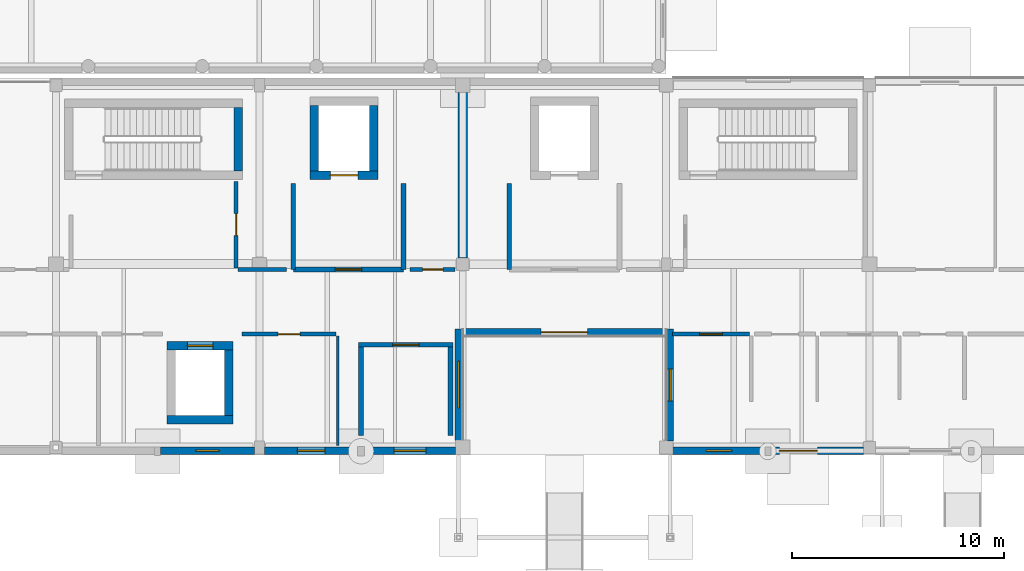
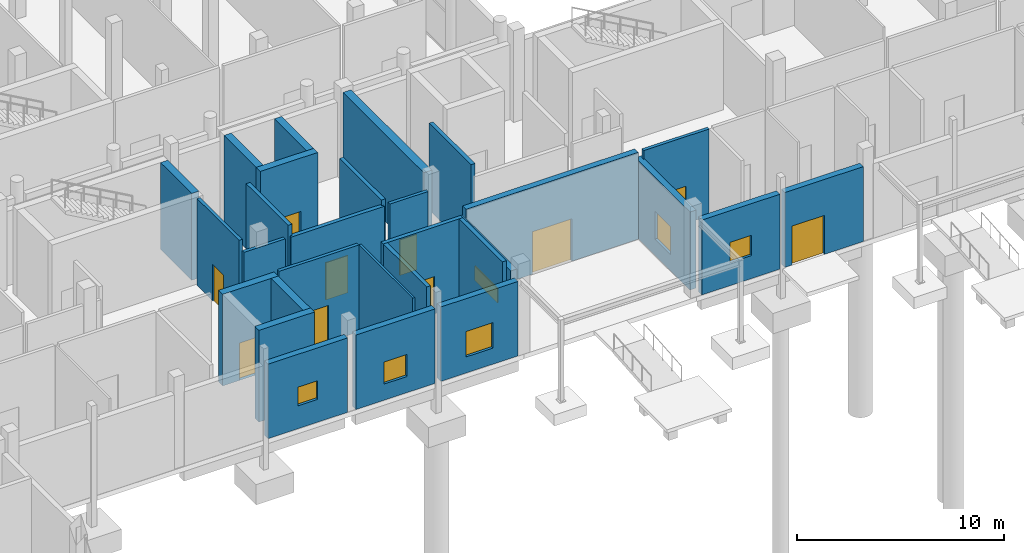
# One storey, part 59 of 88: 29 walls, 10 doors, 6 windows, 16 openings.
"""IFC4 building model written with IfcOpenShell, lengths in metres."""

import ifcopenshell
import ifcopenshell.guid

model = None  # the IFC model being written
_history = None  # IfcOwnerHistory: only IFC2X3 demands one
_inside = {}  # id of a spatial element -> (the spatial element, [elements in it])
_under = {}  # id of a project, library or spatial element -> (it, [spatial elements below it])
_declared = {}  # id of a project -> (the project, [libraries it declares])
_typed = {}  # id of a type object -> (the type object, [elements of that type])
_made_of = {}  # id of a material, layer set ... -> (it, [elements and type objects made of it])


def new_model(schema):
    """Start an empty IFC model of exactly this schema.

    Asked for "IFC4X3", IfcOpenShell would pick the latest addendum, in which some entities
    have other attributes; the version numbers below select the first issue.
    IFC2X3 requires an IfcOwnerHistory on every rooted entity: one is made here for all.
    """
    global model, _history
    if schema == "IFC4X3":
        model = ifcopenshell.file(schema_version=(4, 3, 0, 0))
    else:
        model = ifcopenshell.file(schema=schema)
    _inside.clear()
    _under.clear()
    _declared.clear()
    _typed.clear()
    _made_of.clear()
    _history = None
    if model.schema == "IFC2X3":
        org = make("IfcOrganization", Name="unknown")
        user = make(
            "IfcPersonAndOrganization",
            ThePerson=make("IfcPerson", FamilyName="unknown"),
            TheOrganization=org,
        )
        app = make(
            "IfcApplication",
            ApplicationDeveloper=org,
            Version="unknown",
            ApplicationFullName="unknown",
            ApplicationIdentifier="unknown",
        )
        _history = make(
            "IfcOwnerHistory",
            OwningUser=user,
            OwningApplication=app,
            ChangeAction="ADDED",
            CreationDate=0,
        )
    return model


def make(cls, **values):
    """One entity of the class cls with the attributes given. An attribute that is None is left unset."""
    return model.create_entity(
        cls, **{name: value for name, value in values.items() if value is not None}
    )


def rooted(cls, **values):
    """An entity with a GlobalId (a new one), such as an element, a storey or a relation."""
    return make(cls, GlobalId=ifcopenshell.guid.new(), OwnerHistory=_history, **values)


def si_unit(unit_type, name, prefix=None):
    """IfcSIUnit, for example si_unit("LENGTHUNIT", "METRE", prefix="MILLI")."""
    return make("IfcSIUnit", UnitType=unit_type, Prefix=prefix, Name=name)


def assignment(units):
    """IfcUnitAssignment: the units of a project."""
    return None if units is None else make("IfcUnitAssignment", Units=units)


def point(xyz):
    """IfcCartesianPoint."""
    return None if xyz is None else make("IfcCartesianPoint", Coordinates=xyz)


def direction(xyz):
    """IfcDirection."""
    return None if xyz is None else make("IfcDirection", DirectionRatios=xyz)


def frame(location, z_axis=None, x_axis=None):
    """IfcAxis2Placement3D, a coordinate frame: its origin and axes. An axis left out is left unset."""
    return make(
        "IfcAxis2Placement3D",
        Location=point(location),
        Axis=direction(z_axis),
        RefDirection=direction(x_axis),
    )


def frame_2d(location, x_axis=None):
    """IfcAxis2Placement2D, a coordinate frame in the plane: its origin and x axis."""
    return make(
        "IfcAxis2Placement2D", Location=point(location), RefDirection=direction(x_axis)
    )


def origin():
    """The frame at (0, 0, 0) with its axes left unset."""
    return frame((0.0, 0.0, 0.0))


def place(relative_to, where):
    """IfcLocalPlacement: puts the frame where relative to a parent placement (None: the world)."""
    return make(
        "IfcLocalPlacement", PlacementRelTo=relative_to, RelativePlacement=where
    )


def context(
    kind, dimensions, precision=None, world=None, true_north=None, identifier=None
):
    """IfcGeometricRepresentationContext, for example the 3D "Model" context."""
    return make(
        "IfcGeometricRepresentationContext",
        ContextIdentifier=identifier,
        ContextType=kind,
        CoordinateSpaceDimension=dimensions,
        Precision=precision,
        WorldCoordinateSystem=world,
        TrueNorth=true_north,
    )


def subcontext(parent, identifier, kind, view, scale=None):
    """IfcGeometricRepresentationSubContext, for example "Body" below "Model"."""
    return make(
        "IfcGeometricRepresentationSubContext",
        ContextIdentifier=identifier,
        ContextType=kind,
        ParentContext=parent,
        TargetScale=scale,
        TargetView=view,
    )


def project(units=None, contexts=None):
    """IfcProject with its units and contexts."""
    return rooted(
        "IfcProject",
        Name="project",
        RepresentationContexts=contexts,
        UnitsInContext=assignment(units),
    )


def spatial(cls, under=None, at=None, **own):
    """A site, building, storey or space (cls), placed at a placement, below another one or the project."""
    s = rooted(cls, ObjectPlacement=at, **own)
    if under is not None:
        _under.setdefault(under.id(), (under, []))[1].append(s)
    return s


def profile(cls, at=None, kind="AREA", **sizes):
    """A parametric profile (cls). Its sizes go by their IFC names, for example OverallWidth=200.0."""
    return make(cls, ProfileType=kind, Position=at, **sizes)


def rectangle(**sizes):
    """IfcRectangleProfileDef."""
    return profile("IfcRectangleProfileDef", **sizes)


def extrude(swept, where, along, depth):
    """IfcExtrudedAreaSolid: the profile swept, set in the frame where, extruded along a direction by depth."""
    return make(
        "IfcExtrudedAreaSolid",
        SweptArea=swept,
        Position=where,
        ExtrudedDirection=direction(along),
        Depth=depth,
    )


def shape(context_of_items, identifier, shape_type, items):
    """IfcShapeRepresentation: the items that make up one representation, for example the "Body"."""
    return make(
        "IfcShapeRepresentation",
        ContextOfItems=context_of_items,
        RepresentationIdentifier=identifier,
        RepresentationType=shape_type,
        Items=items,
    )


def material(Name=None, Category=None):
    """IfcMaterial."""
    return make("IfcMaterial", Name=Name, Category=Category)


def layer(
    of_material, thickness, ventilated=None, Name=None, Category=None, Priority=None
):
    """IfcMaterialLayer: one layer of a wall or slab, of a material (None: an air gap)."""
    return make(
        "IfcMaterialLayer",
        Material=of_material,
        LayerThickness=thickness,
        IsVentilated=ventilated,
        Name=Name,
        Category=Category,
        Priority=Priority,
    )


def layer_set(layers, Name=None):
    """IfcMaterialLayerSet."""
    return make("IfcMaterialLayerSet", MaterialLayers=layers, LayerSetName=Name)


def made_of(thing, what):
    """Note that an element or type object is made of a material, layer set ...; save() writes the relation."""
    if what is not None:
        _made_of.setdefault(what.id(), (what, []))[1].append(thing)
    return thing


def type_object(cls, material=None, **own):
    """A type object (cls), such as IfcWallType, which elements share."""
    return made_of(rooted(cls, **own), material)


def element(
    cls,
    number,
    at=None,
    inside=None,
    cuts=None,
    type_object=None,
    material=None,
    context=None,
    identifier="Body",
    shape_type=None,
    held_by="IfcProductDefinitionShape",
    body=None,
    shapes=None,
    **own,
):
    """One element of the class cls, such as IfcWall. Its Tag is "e" and its number.

    at: its placement. inside: the storey or other place that contains it. cuts: it is an
    opening in that element (IfcRelVoidsElement). A single representation is given by context,
    identifier, shape_type and body (its items); several are given by shapes. held_by: the class
    of the entity that holds the representations. save() writes the other relations.
    """
    e = rooted(cls, Tag="e%d" % number, ObjectPlacement=at, **own)
    if body is not None:
        shapes = [shape(context, identifier, shape_type, body)]
    if shapes is not None:
        e.Representation = make(held_by, Representations=shapes)
    if inside is not None:
        _inside.setdefault(inside.id(), (inside, []))[1].append(e)
    if cuts is not None:
        rooted(
            "IfcRelVoidsElement", RelatingBuildingElement=cuts, RelatedOpeningElement=e
        )
    if type_object is not None:
        _typed.setdefault(type_object.id(), (type_object, []))[1].append(e)
    return made_of(e, material)


def fill(opening, filler):
    """IfcRelFillsElement: the door or window that sits in an opening."""
    return rooted(
        "IfcRelFillsElement",
        RelatingOpeningElement=opening,
        RelatedBuildingElement=filler,
    )


def aggregate(whole, parts):
    """IfcRelAggregates: a whole, such as a stair, and the parts it consists of."""
    return rooted("IfcRelAggregates", RelatingObject=whole, RelatedObjects=parts)


def save(model, path):
    """Write the relations noted so far, then the file.

    IfcRelAggregates (storeys below a building ...), IfcRelContainedInSpatialStructure (elements
    in a storey), IfcRelDefinesByType, IfcRelAssociatesMaterial and IfcRelDeclares: one each for
    every whole, place, type object, material and project.
    """
    for whole, parts in _under.values():
        aggregate(whole, parts)
    for where, things in _inside.values():
        rooted(
            "IfcRelContainedInSpatialStructure",
            RelatedElements=things,
            RelatingStructure=where,
        )
    for kind, things in _typed.values():
        rooted("IfcRelDefinesByType", RelatedObjects=things, RelatingType=kind)
    for what, things in _made_of.values():
        rooted("IfcRelAssociatesMaterial", RelatedObjects=things, RelatingMaterial=what)
    for by, libraries in _declared.values():
        rooted("IfcRelDeclares", RelatingContext=by, RelatedDefinitions=libraries)
    model.write(path)


model = new_model("IFC4")

# Units and contexts
model_context = context("Model", 3, precision=1e-05, world=origin(), true_north=direction((0.0, 1.0)))
body_context = subcontext(model_context, "Body", "Model", "MODEL_VIEW")
ifc_project = project(units=[si_unit("LENGTHUNIT", "METRE"), si_unit("AREAUNIT", "SQUARE_METRE"), si_unit("VOLUMEUNIT", "CUBIC_METRE"), si_unit("PLANEANGLEUNIT", "RADIAN"), si_unit("MASSUNIT", "GRAM", prefix="KILO")], contexts=[model_context])

# Site, building, storey
site_placement = place(None, origin())
site = spatial("IfcSite", under=ifc_project, at=site_placement, CompositionType="ELEMENT")
building_placement = place(site_placement, origin())
building = spatial("IfcBuilding", under=site, at=building_placement, Name="Birchvale Park Specialist Clinic", CompositionType="ELEMENT")
storey_placement = place(building_placement, origin())
storey = spatial("IfcBuildingStorey", under=building, at=storey_placement, Name="L00", CompositionType="ELEMENT", Elevation=0.0)

# Wall
ifc_material_1 = material(Name="Concrete C40/50", Category="concrete")
ifc_layer_1 = layer(ifc_material_1, 0.39990234375)
ifc_layer_set_1 = layer_set([ifc_layer_1], Name="Concrete C40/50")
wall_type_1 = type_object("IfcWallType", Name="WL-CW-120", PredefinedType="SHEAR", material=ifc_layer_set_1)
wall_1_placement = place(storey_placement, frame((70.0, 33.199951171875, 0.0), z_axis=(0.0, 0.0, 1.0), x_axis=(0.0, -1.0, 0.0)))
element("IfcWall", 1, at=wall_1_placement, inside=storey, type_object=wall_type_1, Name="L00 stair ST4 EI 120 enclosure wall (east)", PredefinedType="SHEAR", context=body_context, shape_type="SweptSolid", body=[
    extrude(rectangle(XDim=3.0, YDim=0.39990234375, at=frame_2d((1.5, 0.0))), origin(), (0.0, 0.0, 1.0), 5.1201171875),
])

# Wall, opening, door
wall_2_placement = place(storey_placement, frame((73.39990234375, 30.0, 0.0), z_axis=(0.0, 0.0, 1.0), x_axis=(1.0, 0.0, 0.0)))
wall_2 = element("IfcWall", 2, at=wall_2_placement, inside=storey, type_object=wall_type_1, Name="L00 lift LF1 shaft wall (south)", PredefinedType="SHEAR", context=body_context, shape_type="SweptSolid", body=[
    extrude(rectangle(XDim=3.2001953125, YDim=0.39990234375, at=frame_2d((1.60009765625, 0.0))), origin(), (0.0, 0.0, 1.0), 5.39990234375),
])
opening_1_placement = place(wall_2_placement, frame((0.949951171875, 0.0, 0.0)))
opening_1 = element("IfcOpeningElement", 3, at=opening_1_placement, cuts=wall_2, Name="Opening LD-02", PredefinedType="OPENING", context=body_context, shape_type="SweptSolid", body=[
    extrude(rectangle(XDim=1.300048828125, YDim=2.25, at=frame_2d((0.64990234375, 1.125))), frame((0.0, 0.2099609375, 0.0), z_axis=(0.0, -1.0, 0.0), x_axis=(1.0, 0.0, 0.0)), (0.0, 0.0, 1.0), 0.419921875),
])
ifc_material_2 = material(Name="Solid-core birch veneer and anodised aluminium", Category="aluminium")
door_type_1 = type_object("IfcDoorType", Name="DR-LD-02", OperationType="DOUBLE_DOOR_SLIDING", PredefinedType="DOOR", material=ifc_material_2)
door_1_placement = place(opening_1_placement, origin())
door_1 = element("IfcDoor", 4, at=door_1_placement, inside=storey, type_object=door_type_1, Name="L00 lift LF1 sliding landing door", OperationType="DOUBLE_DOOR_SLIDING", OverallHeight=2.25, OverallWidth=1.300048828125, PredefinedType="DOOR", context=body_context, shape_type="SweptSolid", body=[
    extrude(rectangle(XDim=1.300048828125, YDim=2.25, at=frame_2d((0.64990234375, 1.125))), frame((0.0, 0.02490234375, 0.0), z_axis=(0.0, -1.0, 0.0), x_axis=(1.0, 0.0, 0.0)), (0.0, 0.0, 1.0), 0.050048828125),
])
fill(opening_1, door_1)

# Walls
for number, where, z_axis, x_axis, name in (
    (5, (73.60009765625, 30.199951171875, 0.0), (0.0, 0.0, 1.0), (0.0, 1.0, 0.0), "L00 lift LF1 shaft wall (west)"),
    (6, (76.39990234375, 33.300048828125, 0.0), (0.0, 0.0, 1.0), (0.0, -1.0, 0.0), "L00 lift LF1 shaft wall (east)"),
    (7, (66.64990234375, 18.449951171875, 0.0), (0.0, 0.0, 1.0), (1.0, 0.0, 0.0), "L00 lift LP1 shaft wall (south)"),
):
    element("IfcWall", number, at=place(storey_placement, frame(where, z_axis=z_axis, x_axis=x_axis)), inside=storey, type_object=wall_type_1, Name=name, PredefinedType="SHEAR", context=body_context, shape_type="SweptSolid", body=[
        extrude(rectangle(XDim=3.10009765625, YDim=0.39990234375, at=frame_2d((1.550048828125, 0.0))), origin(), (0.0, 0.0, 1.0), 5.39990234375),
    ])

# Wall, opening, door
wall_3_placement = place(storey_placement, frame((69.75, 21.949951171875, 0.0), z_axis=(0.0, 0.0, 1.0), x_axis=(-1.0, 0.0, 0.0)))
wall_3 = element("IfcWall", 8, at=wall_3_placement, inside=storey, type_object=wall_type_1, Name="L00 lift LP1 shaft wall (north)", PredefinedType="SHEAR", context=body_context, shape_type="SweptSolid", body=[
    extrude(rectangle(XDim=3.10009765625, YDim=0.39990234375, at=frame_2d((1.550048828125, 0.0))), origin(), (0.0, 0.0, 1.0), 5.39990234375),
])
opening_2_placement = place(wall_3_placement, frame((0.949951171875, 0.0, 0.0)))
opening_2 = element("IfcOpeningElement", 9, at=opening_2_placement, cuts=wall_3, Name="Opening LD-01", PredefinedType="OPENING", context=body_context, shape_type="SweptSolid", body=[
    extrude(rectangle(XDim=1.199951171875, YDim=2.199951171875, at=frame_2d((0.60009765625, 1.10009765625))), frame((0.0, 0.2099609375, 0.0), z_axis=(0.0, -1.0, 0.0), x_axis=(1.0, 0.0, 0.0)), (0.0, 0.0, 1.0), 0.419921875),
])
door_type_2 = type_object("IfcDoorType", Name="DR-LD-01", OperationType="DOUBLE_DOOR_SLIDING", PredefinedType="DOOR", material=ifc_material_2)
door_2_placement = place(opening_2_placement, origin())
door_2 = element("IfcDoor", 10, at=door_2_placement, inside=storey, type_object=door_type_2, Name="L00 lift LP1 sliding landing door", OperationType="DOUBLE_DOOR_SLIDING", OverallHeight=2.199951171875, OverallWidth=1.199951171875, PredefinedType="DOOR", context=body_context, shape_type="SweptSolid", body=[
    extrude(rectangle(XDim=1.199951171875, YDim=2.199951171875, at=frame_2d((0.60009765625, 1.10009765625))), frame((0.0, 0.02490234375, 0.0), z_axis=(0.0, -1.0, 0.0), x_axis=(1.0, 0.0, 0.0)), (0.0, 0.0, 1.0), 0.050048828125),
])
fill(opening_2, door_2)

# Wall
wall_4_placement = place(storey_placement, frame((69.550048828125, 21.75, 0.0), z_axis=(0.0, 0.0, 1.0), x_axis=(0.0, -1.0, 0.0)))
element("IfcWall", 11, at=wall_4_placement, inside=storey, type_object=wall_type_1, Name="L00 lift LP1 shaft wall (east)", PredefinedType="SHEAR", context=body_context, shape_type="SweptSolid", body=[
    extrude(rectangle(XDim=3.10009765625, YDim=0.39990234375, at=frame_2d((1.550048828125, 0.0))), origin(), (0.0, 0.0, 1.0), 5.39990234375),
])

# Wall, opening, window
ifc_material_3 = material(Name="Lime-white mineral-rendered insulated masonry", Category="masonry")
ifc_layer_2 = layer(ifc_material_3, 0.340087890625)
ifc_layer_set_2 = layer_set([ifc_layer_2], Name="Lime-white mineral-rendered insulated masonry")
wall_type_2 = type_object("IfcWallType", Name="WL-EW-01", PredefinedType="STANDARD", material=ifc_layer_set_2)
wall_5_placement = place(storey_placement, frame((66.3349609375, 16.989990234375, 0.0), z_axis=(0.0, 0.0, 1.0), x_axis=(1.0, 0.0, 0.0)))
wall_5 = element("IfcWall", 12, at=wall_5_placement, inside=storey, type_object=wall_type_2, Name="V4 L00 exterior facade wall 66", PredefinedType="STANDARD", context=body_context, shape_type="SweptSolid", body=[
    extrude(rectangle(XDim=4.43505859375, YDim=0.340087890625, at=frame_2d((2.217529296875, 0.0))), origin(), (0.0, 0.0, 1.0), 4.385009765625),
])
opening_3_placement = place(wall_5_placement, frame((1.66748046875, 0.0, 1.35009765625)))
opening_3 = element("IfcOpeningElement", 13, at=opening_3_placement, cuts=wall_5, Name="Opening W-SQ11", PredefinedType="OPENING", context=body_context, shape_type="SweptSolid", body=[
    extrude(rectangle(XDim=1.10009765625, YDim=1.10009765625, at=frame_2d((0.550048828125, 0.550048828125))), frame((0.0, 0.18017578125, 0.0), z_axis=(0.0, -1.0, 0.0), x_axis=(1.0, 0.0, 0.0)), (0.0, 0.0, 1.0), 0.360107421875),
])
ifc_material_4 = material(Name="Solar-control low-E double glazing", Category="glass")
window_type_1 = type_object("IfcWindowType", Name="WIN-W-SQ11", PartitioningType="SINGLE_PANEL", PredefinedType="WINDOW", material=ifc_material_4)
window_1_placement = place(opening_3_placement, origin())
window_1 = element("IfcWindow", 14, at=window_1_placement, inside=storey, type_object=window_type_1, Name="V4 L00 cased window 5", OverallHeight=1.10009765625, OverallWidth=1.10009765625, PartitioningType="SINGLE_PANEL", PredefinedType="WINDOW", context=body_context, shape_type="SweptSolid", body=[
    extrude(rectangle(XDim=1.10009765625, YDim=1.10009765625, at=frame_2d((0.550048828125, 0.550048828125))), frame((0.0, 0.030029296875, 0.0), z_axis=(0.0, -1.0, 0.0), x_axis=(1.0, 0.0, 0.0)), (0.0, 0.0, 1.0), 0.06005859375),
])
fill(opening_3, window_1)

wall_6_placement = place(storey_placement, frame((71.22998046875, 16.989990234375, 0.0), z_axis=(0.0, 0.0, 1.0), x_axis=(1.0, 0.0, 0.0)))
wall_6 = element("IfcWall", 15, at=wall_6_placement, inside=storey, type_object=wall_type_2, Name="V4 L00 exterior facade wall 67", PredefinedType="STANDARD", context=body_context, shape_type="SweptSolid", body=[
    extrude(rectangle(XDim=4.4150390625, YDim=0.340087890625, at=frame_2d((2.20751953125, 0.0))), origin(), (0.0, 0.0, 1.0), 4.385009765625),
])
opening_4_placement = place(wall_6_placement, frame((1.5576171875, 0.0, 0.949951171875)))
opening_4 = element("IfcOpeningElement", 16, at=opening_4_placement, cuts=wall_6, Name="Opening W-SQ13", PredefinedType="OPENING", context=body_context, shape_type="SweptSolid", body=[
    extrude(rectangle(XDim=1.300048828125, YDim=1.300048828125, at=frame_2d((0.64990234375, 0.64990234375))), frame((0.0, 0.18017578125, 0.0), z_axis=(0.0, -1.0, 0.0), x_axis=(1.0, 0.0, 0.0)), (0.0, 0.0, 1.0), 0.360107421875),
])
window_type_2 = type_object("IfcWindowType", Name="WIN-W-SQ13", PartitioningType="SINGLE_PANEL", PredefinedType="WINDOW", material=ifc_material_4)
window_2_placement = place(opening_4_placement, origin())
window_2 = element("IfcWindow", 17, at=window_2_placement, inside=storey, type_object=window_type_2, Name="V4 L00 cased window 6", OverallHeight=1.300048828125, OverallWidth=1.300048828125, PartitioningType="SINGLE_PANEL", PredefinedType="WINDOW", context=body_context, shape_type="SweptSolid", body=[
    extrude(rectangle(XDim=1.300048828125, YDim=1.300048828125, at=frame_2d((0.64990234375, 0.64990234375))), frame((0.0, 0.030029296875, 0.0), z_axis=(0.0, -1.0, 0.0), x_axis=(1.0, 0.0, 0.0)), (0.0, 0.0, 1.0), 0.06005859375),
])
fill(opening_4, window_2)

wall_7_placement = place(storey_placement, frame((75.955078125, 16.989990234375, 0.0), z_axis=(0.0, 0.0, 1.0), x_axis=(1.0, 0.0, 0.0)))
wall_7 = element("IfcWall", 18, at=wall_7_placement, inside=storey, type_object=wall_type_2, Name="V4 L00 exterior facade wall 68", PredefinedType="STANDARD", context=body_context, shape_type="SweptSolid", body=[
    extrude(rectangle(XDim=4.309814453125, YDim=0.340087890625, at=frame_2d((2.15478515625, 0.0))), origin(), (0.0, 0.0, 1.0), 4.385009765625),
])
opening_5_placement = place(wall_7_placement, frame((1.405029296875, 0.0, 0.949951171875)))
opening_5 = element("IfcOpeningElement", 19, at=opening_5_placement, cuts=wall_7, Name="Opening W-SQ15", PredefinedType="OPENING", context=body_context, shape_type="SweptSolid", body=[
    extrude(rectangle(XDim=1.5, YDim=1.5, at=frame_2d((0.75, 0.75))), frame((0.0, 0.18017578125, 0.0), z_axis=(0.0, -1.0, 0.0), x_axis=(1.0, 0.0, 0.0)), (0.0, 0.0, 1.0), 0.360107421875),
])
window_type_3 = type_object("IfcWindowType", Name="WIN-W-SQ15", PartitioningType="SINGLE_PANEL", PredefinedType="WINDOW", material=ifc_material_4)
window_3_placement = place(opening_5_placement, origin())
window_3 = element("IfcWindow", 20, at=window_3_placement, inside=storey, type_object=window_type_3, Name="V4 L00 cased window 7", OverallHeight=1.5, OverallWidth=1.5, PartitioningType="SINGLE_PANEL", PredefinedType="WINDOW", context=body_context, shape_type="SweptSolid", body=[
    extrude(rectangle(XDim=1.5, YDim=1.5, at=frame_2d((0.75, 0.75))), frame((0.0, 0.030029296875, 0.0), z_axis=(0.0, -1.0, 0.0), x_axis=(1.0, 0.0, 0.0)), (0.0, 0.0, 1.0), 0.06005859375),
])
fill(opening_5, window_3)

wall_8_placement = place(storey_placement, frame((80.409912109375, 17.485107421875, 0.0), z_axis=(0.0, 0.0, 1.0), x_axis=(0.0, 1.0, 0.0)))
wall_8 = element("IfcWall", 21, at=wall_8_placement, inside=storey, type_object=wall_type_2, Name="V4 L00 exterior facade wall 69", PredefinedType="STANDARD", context=body_context, shape_type="SweptSolid", body=[
    extrude(rectangle(XDim=5.2548828125, YDim=0.340087890625, at=frame_2d((2.62744140625, 0.0))), origin(), (0.0, 0.0, 1.0), 4.60498046875),
])
opening_6_placement = place(wall_8_placement, frame((1.527587890625, 0.0, 1.75)))
opening_6 = element("IfcOpeningElement", 22, at=opening_6_placement, cuts=wall_8, Name="Opening W-CL10", PredefinedType="OPENING", context=body_context, shape_type="SweptSolid", body=[
    extrude(rectangle(XDim=2.199951171875, YDim=0.85009765625, at=frame_2d((1.10009765625, 0.425048828125))), frame((0.0, 0.18017578125, 0.0), z_axis=(0.0, -1.0, 0.0), x_axis=(1.0, 0.0, 0.0)), (0.0, 0.0, 1.0), 0.360107421875),
])
window_type_4 = type_object("IfcWindowType", Name="WIN-W-CL10", PartitioningType="SINGLE_PANEL", PredefinedType="WINDOW", material=ifc_material_4)
window_4_placement = place(opening_6_placement, origin())
window_4 = element("IfcWindow", 23, at=window_4_placement, inside=storey, type_object=window_type_4, Name="V4 L00 cased window 8", OverallHeight=0.85009765625, OverallWidth=2.199951171875, PartitioningType="SINGLE_PANEL", PredefinedType="WINDOW", context=body_context, shape_type="SweptSolid", body=[
    extrude(rectangle(XDim=2.199951171875, YDim=0.85009765625, at=frame_2d((1.10009765625, 0.425048828125))), frame((0.0, 0.030029296875, 0.0), z_axis=(0.0, -1.0, 0.0), x_axis=(1.0, 0.0, 0.0)), (0.0, 0.0, 1.0), 0.06005859375),
])
fill(opening_6, window_4)

# Wall, opening, door
wall_9_placement = place(storey_placement, frame((80.60009765625, 22.590087890625, 0.0), z_axis=(0.0, 0.0, 1.0), x_axis=(1.0, 0.0, 0.0)))
wall_9 = element("IfcWall", 24, at=wall_9_placement, inside=storey, type_object=wall_type_2, Name="V4 L00 exterior facade wall 70", PredefinedType="STANDARD", context=body_context, shape_type="SweptSolid", body=[
    extrude(rectangle(XDim=9.599853515625, YDim=0.340087890625, at=frame_2d((4.7998046875, 0.0))), origin(), (0.0, 0.0, 1.0), 5.1201171875),
])
opening_7_placement = place(wall_9_placement, frame((3.699951171875, 0.0, 0.0)))
opening_7 = element("IfcOpeningElement", 25, at=opening_7_placement, cuts=wall_9, Name="Opening ED-01", PredefinedType="OPENING", context=body_context, shape_type="SweptSolid", body=[
    extrude(rectangle(XDim=2.199951171875, YDim=2.5, at=frame_2d((1.10009765625, 1.25))), frame((0.0, 0.18017578125, 0.0), z_axis=(0.0, -1.0, 0.0), x_axis=(1.0, 0.0, 0.0)), (0.0, 0.0, 1.0), 0.360107421875),
])
ifc_material_5 = material(Name="Powder-coated aluminium and laminated safety glass", Category="aluminium")
door_type_3 = type_object("IfcDoorType", Name="DR-ED-01", OperationType="DOUBLE_DOOR_SINGLE_SWING", PredefinedType="DOOR", material=ifc_material_5)
door_3_placement = place(opening_7_placement, frame((2.199951171875, 0.0, 0.0), z_axis=(0.0, 0.0, 1.0), x_axis=(-1.0, 0.0, 0.0)))
door_3 = element("IfcDoor", 26, at=door_3_placement, inside=storey, type_object=door_type_3, Name="L00 V4 final exit double door 21", OperationType="DOUBLE_DOOR_SINGLE_SWING", OverallHeight=2.5, OverallWidth=2.199951171875, PredefinedType="DOOR", context=body_context, shape_type="SweptSolid", body=[
    extrude(rectangle(XDim=2.199951171875, YDim=2.5, at=frame_2d((1.10009765625, 1.25))), frame((0.0, 0.02490234375, 0.0), z_axis=(0.0, -1.0, 0.0), x_axis=(1.0, 0.0, 0.0)), (0.0, 0.0, 1.0), 0.050048828125),
])
fill(opening_7, door_3)

# Wall, opening, window
wall_10_placement = place(storey_placement, frame((90.389892578125, 22.739990234375, 0.0), z_axis=(0.0, 0.0, 1.0), x_axis=(0.0, -1.0, 0.0)))
wall_10 = element("IfcWall", 27, at=wall_10_placement, inside=storey, type_object=wall_type_2, Name="V4 L00 exterior facade wall 71", PredefinedType="STANDARD", context=body_context, shape_type="SweptSolid", body=[
    extrude(rectangle(XDim=5.280029296875, YDim=0.340087890625, at=frame_2d((2.64013671875, 0.0))), origin(), (0.0, 0.0, 1.0), 4.60498046875),
])
opening_8_placement = place(wall_10_placement, frame((1.889892578125, 0.0, 0.949951171875)))
opening_8 = element("IfcOpeningElement", 28, at=opening_8_placement, cuts=wall_10, Name="Opening W-CL03", PredefinedType="OPENING", context=body_context, shape_type="SweptSolid", body=[
    extrude(rectangle(XDim=1.5, YDim=1.64990234375, at=frame_2d((0.75, 0.824951171875))), frame((0.0, 0.18017578125, 0.0), z_axis=(0.0, -1.0, 0.0), x_axis=(1.0, 0.0, 0.0)), (0.0, 0.0, 1.0), 0.360107421875),
])
window_type_5 = type_object("IfcWindowType", Name="WIN-W-CL03", PartitioningType="SINGLE_PANEL", PredefinedType="WINDOW", material=ifc_material_4)
window_5_placement = place(opening_8_placement, origin())
window_5 = element("IfcWindow", 29, at=window_5_placement, inside=storey, type_object=window_type_5, Name="V4 L00 cased window 9", OverallHeight=1.64990234375, OverallWidth=1.5, PartitioningType="SINGLE_PANEL", PredefinedType="WINDOW", context=body_context, shape_type="SweptSolid", body=[
    extrude(rectangle(XDim=1.5, YDim=1.64990234375, at=frame_2d((0.75, 0.824951171875))), frame((0.0, 0.030029296875, 0.0), z_axis=(0.0, -1.0, 0.0), x_axis=(1.0, 0.0, 0.0)), (0.0, 0.0, 1.0), 0.06005859375),
])
fill(opening_8, window_5)

wall_11_placement = place(storey_placement, frame((90.510009765625, 16.989990234375, 0.0), z_axis=(0.0, 0.0, 1.0), x_axis=(1.0, 0.0, 0.0)))
wall_11 = element("IfcWall", 30, at=wall_11_placement, inside=storey, type_object=wall_type_2, Name="V4 L00 exterior facade wall 72", PredefinedType="STANDARD", context=body_context, shape_type="SweptSolid", body=[
    extrude(rectangle(XDim=4.35498046875, YDim=0.340087890625, at=frame_2d((2.177490234375, 0.0))), origin(), (0.0, 0.0, 1.0), 4.4150390625),
])
opening_9_placement = place(wall_11_placement, frame((1.577392578125, 0.0, 1.35009765625)))
opening_9 = element("IfcOpeningElement", 31, at=opening_9_placement, cuts=wall_11, Name="Opening W-SQ12", PredefinedType="OPENING", context=body_context, shape_type="SweptSolid", body=[
    extrude(rectangle(XDim=1.199951171875, YDim=1.199951171875, at=frame_2d((0.60009765625, 0.60009765625))), frame((0.0, 0.18017578125, 0.0), z_axis=(0.0, -1.0, 0.0), x_axis=(1.0, 0.0, 0.0)), (0.0, 0.0, 1.0), 0.360107421875),
])
window_type_6 = type_object("IfcWindowType", Name="WIN-W-SQ12", PartitioningType="SINGLE_PANEL", PredefinedType="WINDOW", material=ifc_material_4)
window_6_placement = place(opening_9_placement, origin())
window_6 = element("IfcWindow", 32, at=window_6_placement, inside=storey, type_object=window_type_6, Name="V4 L00 cased window 10", OverallHeight=1.199951171875, OverallWidth=1.199951171875, PartitioningType="SINGLE_PANEL", PredefinedType="WINDOW", context=body_context, shape_type="SweptSolid", body=[
    extrude(rectangle(XDim=1.199951171875, YDim=1.199951171875, at=frame_2d((0.60009765625, 0.60009765625))), frame((0.0, 0.030029296875, 0.0), z_axis=(0.0, -1.0, 0.0), x_axis=(1.0, 0.0, 0.0)), (0.0, 0.0, 1.0), 0.06005859375),
])
fill(opening_9, window_6)

# Wall, opening, door
wall_12_placement = place(storey_placement, frame((95.135009765625, 16.989990234375, 0.0), z_axis=(0.0, 0.0, 1.0), x_axis=(1.0, 0.0, 0.0)))
wall_12 = element("IfcWall", 33, at=wall_12_placement, inside=storey, type_object=wall_type_2, Name="V4 L00 exterior facade wall 73", PredefinedType="STANDARD", context=body_context, shape_type="SweptSolid", body=[
    extrude(rectangle(XDim=4.3798828125, YDim=0.340087890625, at=frame_2d((2.18994140625, 0.0))), origin(), (0.0, 0.0, 1.0), 4.4150390625),
])
opening_10_placement = place(wall_12_placement, frame((0.408203125, 0.0, 0.0)))
opening_10 = element("IfcOpeningElement", 34, at=opening_10_placement, cuts=wall_12, Name="Opening ED-03", PredefinedType="OPENING", context=body_context, shape_type="SweptSolid", body=[
    extrude(rectangle(XDim=1.800048828125, YDim=2.300048828125, at=frame_2d((0.89990234375, 1.14990234375))), frame((0.0, 0.18017578125, 0.0), z_axis=(0.0, -1.0, 0.0), x_axis=(1.0, 0.0, 0.0)), (0.0, 0.0, 1.0), 0.360107421875),
])
door_type_4 = type_object("IfcDoorType", Name="DR-ED-03", OperationType="DOUBLE_DOOR_SINGLE_SWING", PredefinedType="DOOR", material=ifc_material_5)
door_4_placement = place(opening_10_placement, frame((1.800048828125, 0.0, 0.0), z_axis=(0.0, 0.0, 1.0), x_axis=(-1.0, 0.0, 0.0)))
door_4 = element("IfcDoor", 35, at=door_4_placement, inside=storey, type_object=door_type_4, Name="L00 V4 final exit double door 22", OperationType="DOUBLE_DOOR_SINGLE_SWING", OverallHeight=2.300048828125, OverallWidth=1.800048828125, PredefinedType="DOOR", context=body_context, shape_type="SweptSolid", body=[
    extrude(rectangle(XDim=1.800048828125, YDim=2.300048828125, at=frame_2d((0.89990234375, 1.14990234375))), frame((0.0, 0.02490234375, 0.0), z_axis=(0.0, -1.0, 0.0), x_axis=(1.0, 0.0, 0.0)), (0.0, 0.0, 1.0), 0.050048828125),
])
fill(opening_10, door_4)

# Walls
ifc_material_6 = material(Name="Acoustic gypsum board on metal framing")
ifc_layer_3 = layer(ifc_material_6, 0.114990234375)
ifc_layer_set_3 = layer_set([ifc_layer_3], Name="Acoustic gypsum board on metal framing")
wall_type_3 = type_object("IfcWallType", Name="WL-IW-05", PredefinedType="PARTITIONING", material=ifc_layer_set_3)
wall_13_placement = place(storey_placement, frame((74.696044921875, 22.419921875, 0.0), z_axis=(0.0, 0.0, 1.0), x_axis=(0.0, -1.0, 0.0)))
element("IfcWall", 36, at=wall_13_placement, inside=storey, type_object=wall_type_3, Name="V4 L00 clinical partition 180", PredefinedType="PARTITIONING", context=body_context, shape_type="SweptSolid", body=[
    extrude(rectangle(XDim=5.179931640625, YDim=0.114990234375, at=frame_2d((2.58984375, 0.0))), origin(), (0.0, 0.0, 1.0), 5.1201171875),
])
ifc_layer_4 = layer(ifc_material_6, 0.219970703125)
ifc_layer_set_4 = layer_set([ifc_layer_4], Name="Acoustic gypsum board on metal framing")
wall_type_4 = type_object("IfcWallType", Name="WL-IW-120", PredefinedType="PARTITIONING", material=ifc_layer_set_4)
wall_14_placement = place(storey_placement, frame((72.60009765625, 29.60009765625, 0.0), z_axis=(0.0, 0.0, 1.0), x_axis=(0.0, -1.0, 0.0)))
element("IfcWall", 37, at=wall_14_placement, inside=storey, type_object=wall_type_4, Name="L00 firefighting lift lobby K4 EI 120 wall (west)", PredefinedType="PARTITIONING", context=body_context, shape_type="SweptSolid", body=[
    extrude(rectangle(XDim=4.050048828125, YDim=0.219970703125, at=frame_2d((2.02490234375, 0.0))), origin(), (0.0, 0.0, 1.0), 5.1201171875),
])

# Wall, opening, door
wall_15_placement = place(storey_placement, frame((72.60009765625, 25.550048828125, 0.0), z_axis=(0.0, 0.0, 1.0), x_axis=(1.0, 0.0, 0.0)))
wall_15 = element("IfcWall", 38, at=wall_15_placement, inside=storey, type_object=wall_type_4, Name="L00 firefighting lift lobby K4 EI 120 wall (south)", PredefinedType="PARTITIONING", context=body_context, shape_type="SweptSolid", body=[
    extrude(rectangle(XDim=5.199951171875, YDim=0.219970703125, at=frame_2d((2.60009765625, 0.0))), origin(), (0.0, 0.0, 1.0), 4.455078125),
])
opening_11_placement = place(wall_15_placement, frame((1.97509765625, 0.0, 0.0)))
opening_11 = element("IfcOpeningElement", 39, at=opening_11_placement, cuts=wall_15, Name="Opening ID-FD60", PredefinedType="OPENING", context=body_context, shape_type="SweptSolid", body=[
    extrude(rectangle(XDim=1.25, YDim=2.199951171875, at=frame_2d((0.625, 1.10009765625))), frame((0.0, 0.1201171875, 0.0), z_axis=(0.0, -1.0, 0.0), x_axis=(1.0, 0.0, 0.0)), (0.0, 0.0, 1.0), 0.239990234375),
])
door_type_5 = type_object("IfcDoorType", Name="DR-ID-FD60", OperationType="NOTDEFINED", PredefinedType="DOOR", material=ifc_material_2)
door_5_placement = place(opening_11_placement, origin())
door_5 = element("IfcDoor", 40, at=door_5_placement, inside=storey, type_object=door_type_5, Name="L00 firefighting lobby K4 fire door", OperationType="SINGLE_SWING_LEFT", OverallHeight=2.199951171875, OverallWidth=1.25, PredefinedType="DOOR", context=body_context, shape_type="SweptSolid", body=[
    extrude(rectangle(XDim=1.25, YDim=2.199951171875, at=frame_2d((0.625, 1.10009765625))), frame((0.0, 0.02490234375, 0.0), z_axis=(0.0, -1.0, 0.0), x_axis=(1.0, 0.0, 0.0)), (0.0, 0.0, 1.0), 0.050048828125),
])
fill(opening_11, door_5)

# Walls
wall_16_placement = place(storey_placement, frame((77.800048828125, 25.550048828125, 0.0), z_axis=(0.0, 0.0, 1.0), x_axis=(0.0, 1.0, 0.0)))
element("IfcWall", 41, at=wall_16_placement, inside=storey, type_object=wall_type_4, Name="L00 firefighting lift lobby K4 EI 120 wall (east)", PredefinedType="PARTITIONING", context=body_context, shape_type="SweptSolid", body=[
    extrude(rectangle(XDim=4.050048828125, YDim=0.219970703125, at=frame_2d((2.02490234375, 0.0))), origin(), (0.0, 0.0, 1.0), 4.7880859375),
])
wall_17_placement = place(storey_placement, frame((82.800048828125, 29.60009765625, 0.0), z_axis=(0.0, 0.0, 1.0), x_axis=(0.0, -1.0, 0.0)))
element("IfcWall", 42, at=wall_17_placement, inside=storey, type_object=wall_type_4, Name="L00 firefighting lift lobby K5 EI 120 wall (west)", PredefinedType="PARTITIONING", context=body_context, shape_type="SweptSolid", body=[
    extrude(rectangle(XDim=4.050048828125, YDim=0.219970703125, at=frame_2d((2.02490234375, 0.0))), origin(), (0.0, 0.0, 1.0), 5.1201171875),
])

# Wall, opening, door
wall_18_placement = place(storey_placement, frame((80.1298828125, 22.0, 0.0), z_axis=(0.0, 0.0, 1.0), x_axis=(-1.0, 0.0, 0.0)))
wall_18 = element("IfcWall", 43, at=wall_18_placement, inside=storey, type_object=wall_type_4, Name="L00 Fire Command Room EI 120 wall (north)", PredefinedType="PARTITIONING", context=body_context, shape_type="SweptSolid", body=[
    extrude(rectangle(XDim=4.43994140625, YDim=0.219970703125, at=frame_2d((2.219970703125, 0.0))), origin(), (0.0, 0.0, 1.0), 5.1201171875),
])
opening_12_placement = place(wall_18_placement, frame((1.594970703125, 0.0, 0.0)))
opening_12 = element("IfcOpeningElement", 44, at=opening_12_placement, cuts=wall_18, Name="Opening ID-FD60", PredefinedType="OPENING", context=body_context, shape_type="SweptSolid", body=[
    extrude(rectangle(XDim=1.25, YDim=2.199951171875, at=frame_2d((0.625, 1.10009765625))), frame((0.0, 0.1201171875, 0.0), z_axis=(0.0, -1.0, 0.0), x_axis=(1.0, 0.0, 0.0)), (0.0, 0.0, 1.0), 0.239990234375),
])
door_6_placement = place(opening_12_placement, origin())
door_6 = element("IfcDoor", 45, at=door_6_placement, inside=storey, type_object=door_type_5, Name="L00 Fire Command Room fire door", OperationType="SINGLE_SWING_LEFT", OverallHeight=2.199951171875, OverallWidth=1.25, PredefinedType="DOOR", context=body_context, shape_type="SweptSolid", body=[
    extrude(rectangle(XDim=1.25, YDim=2.199951171875, at=frame_2d((0.625, 1.10009765625))), frame((0.0, 0.02490234375, 0.0), z_axis=(0.0, -1.0, 0.0), x_axis=(1.0, 0.0, 0.0)), (0.0, 0.0, 1.0), 0.050048828125),
])
fill(opening_12, door_6)

# Walls
for number, where, z_axis, x_axis, name in (
    (46, (75.800048828125, 17.7099609375, 0.0), (0.0, 0.0, 1.0), (0.0, 1.0, 0.0), "L00 Fire Command Room EI 120 wall (west)"),
    (47, (80.02001953125, 21.889892578125, 0.0), (0.0, 0.0, 1.0), (0.0, -1.0, 0.0), "L00 Fire Command Room EI 120 wall (east)"),
):
    element("IfcWall", number, at=place(storey_placement, frame(where, z_axis=z_axis, x_axis=x_axis)), inside=storey, type_object=wall_type_4, Name=name, PredefinedType="PARTITIONING", context=body_context, shape_type="SweptSolid", body=[
        extrude(rectangle(XDim=4.179931640625, YDim=0.219970703125, at=frame_2d((2.08984375, 0.0))), origin(), (0.0, 0.0, 1.0), 5.1201171875),
    ])

# Wall, opening, door
ifc_layer_5 = layer(ifc_material_6, 0.179931640625)
ifc_layer_set_5 = layer_set([ifc_layer_5], Name="Acoustic gypsum board on metal framing")
wall_type_5 = type_object("IfcWallType", Name="WL-IW-60", PredefinedType="PARTITIONING", material=ifc_layer_set_5)
wall_19_placement = place(storey_placement, frame((70.179931640625, 22.5, 0.0), z_axis=(0.0, 0.0, 1.0), x_axis=(1.0, 0.0, 0.0)))
wall_19 = element("IfcWall", 48, at=wall_19_placement, inside=storey, type_object=wall_type_5, Name="V4 L00 clinical partition 179", PredefinedType="PARTITIONING", context=body_context, shape_type="SweptSolid", body=[
    extrude(rectangle(XDim=4.43603515625, YDim=0.179931640625, at=frame_2d((2.218017578125, 0.0))), origin(), (0.0, 0.0, 1.0), 5.1201171875),
])
opening_13_placement = place(wall_19_placement, frame((1.697998046875, 0.0, 0.0)))
opening_13 = element("IfcOpeningElement", 49, at=opening_13_placement, cuts=wall_19, Name="Opening ID-02", PredefinedType="OPENING", context=body_context, shape_type="SweptSolid", body=[
    extrude(rectangle(XDim=1.0400390625, YDim=2.14990234375, at=frame_2d((0.52001953125, 1.074951171875))), frame((0.0, 0.10009765625, 0.0), z_axis=(0.0, -1.0, 0.0), x_axis=(1.0, 0.0, 0.0)), (0.0, 0.0, 1.0), 0.199951171875),
])
door_type_6 = type_object("IfcDoorType", Name="DR-ID-02", OperationType="NOTDEFINED", PredefinedType="DOOR", material=ifc_material_2)
door_7_placement = place(opening_13_placement, origin())
door_7 = element("IfcDoor", 50, at=door_7_placement, inside=storey, type_object=door_type_6, Name="L00 Hematology Outpatient Clinic door", OperationType="SINGLE_SWING_LEFT", OverallHeight=2.14990234375, OverallWidth=1.0400390625, PredefinedType="DOOR", context=body_context, shape_type="SweptSolid", body=[
    extrude(rectangle(XDim=1.0400390625, YDim=2.14990234375, at=frame_2d((0.52001953125, 1.074951171875))), frame((0.0, 0.02490234375, 0.0), z_axis=(0.0, -1.0, 0.0), x_axis=(1.0, 0.0, 0.0)), (0.0, 0.0, 1.0), 0.050048828125),
])
fill(opening_13, door_7)

wall_20_placement = place(storey_placement, frame((90.5, 22.5, 0.0), z_axis=(0.0, 0.0, 1.0), x_axis=(1.0, 0.0, 0.0)))
wall_20 = element("IfcWall", 51, at=wall_20_placement, inside=storey, type_object=wall_type_5, Name="V4 L00 clinical partition 182", PredefinedType="PARTITIONING", context=body_context, shape_type="SweptSolid", body=[
    extrude(rectangle(XDim=3.639892578125, YDim=0.179931640625, at=frame_2d((1.81982421875, 0.0))), origin(), (0.0, 0.0, 1.0), 5.1201171875),
])
opening_14_placement = place(wall_20_placement, frame((1.280029296875, 0.0, 0.0)))
opening_14 = element("IfcOpeningElement", 52, at=opening_14_placement, cuts=wall_20, Name="Opening ID-03", PredefinedType="OPENING", context=body_context, shape_type="SweptSolid", body=[
    extrude(rectangle(XDim=1.080078125, YDim=2.199951171875, at=frame_2d((0.5400390625, 1.10009765625))), frame((0.0, 0.10009765625, 0.0), z_axis=(0.0, -1.0, 0.0), x_axis=(1.0, 0.0, 0.0)), (0.0, 0.0, 1.0), 0.199951171875),
])
door_type_7 = type_object("IfcDoorType", Name="DR-ID-03", OperationType="NOTDEFINED", PredefinedType="DOOR", material=ifc_material_2)
door_8_placement = place(opening_14_placement, origin())
door_8 = element("IfcDoor", 53, at=door_8_placement, inside=storey, type_object=door_type_7, Name="L00 Accessible Patient WC door", OperationType="SINGLE_SWING_RIGHT", OverallHeight=2.199951171875, OverallWidth=1.080078125, PredefinedType="DOOR", context=body_context, shape_type="SweptSolid", body=[
    extrude(rectangle(XDim=1.080078125, YDim=2.199951171875, at=frame_2d((0.5400390625, 1.10009765625))), frame((0.0, 0.02490234375, 0.0), z_axis=(0.0, -1.0, 0.0), x_axis=(1.0, 0.0, 0.0)), (0.0, 0.0, 1.0), 0.050048828125),
])
fill(opening_14, door_8)

# Wall
wall_21_placement = place(storey_placement, frame((72.280029296875, 25.550048828125, 0.0), z_axis=(0.0, 0.0, 1.0), x_axis=(-1.0, 0.0, 0.0)))
element("IfcWall", 54, at=wall_21_placement, inside=storey, type_object=wall_type_5, Name="V4 L00 clinical partition 196", PredefinedType="PARTITIONING", context=body_context, shape_type="SweptSolid", body=[
    extrude(rectangle(XDim=2.300048828125, YDim=0.179931640625, at=frame_2d((1.14990234375, 0.0))), origin(), (0.0, 0.0, 1.0), 4.455078125),
])

# Wall, opening, door
wall_22_placement = place(storey_placement, frame((69.89990234375, 25.6298828125, 0.0), z_axis=(0.0, 0.0, 1.0), x_axis=(0.0, 1.0, 0.0)))
wall_22 = element("IfcWall", 55, at=wall_22_placement, inside=storey, type_object=wall_type_5, Name="V4 L00 clinical partition 197", PredefinedType="PARTITIONING", context=body_context, shape_type="SweptSolid", body=[
    extrude(rectangle(XDim=4.070068359375, YDim=0.179931640625, at=frame_2d((2.03515625, 0.0))), origin(), (0.0, 0.0, 1.0), 5.1201171875),
])
opening_15_placement = place(wall_22_placement, frame((1.514892578125, 0.0, 0.0)))
opening_15 = element("IfcOpeningElement", 56, at=opening_15_placement, cuts=wall_22, Name="Opening ID-02", PredefinedType="OPENING", context=body_context, shape_type="SweptSolid", body=[
    extrude(rectangle(XDim=1.0400390625, YDim=2.14990234375, at=frame_2d((0.52001953125, 1.074951171875))), frame((0.0, 0.10009765625, 0.0), z_axis=(0.0, -1.0, 0.0), x_axis=(1.0, 0.0, 0.0)), (0.0, 0.0, 1.0), 0.199951171875),
])
door_9_placement = place(opening_15_placement, origin())
door_9 = element("IfcDoor", 57, at=door_9_placement, inside=storey, type_object=door_type_6, Name="L00 Oncology Consultation Suite door", OperationType="SINGLE_SWING_RIGHT", OverallHeight=2.14990234375, OverallWidth=1.0400390625, PredefinedType="DOOR", context=body_context, shape_type="SweptSolid", body=[
    extrude(rectangle(XDim=1.0400390625, YDim=2.14990234375, at=frame_2d((0.52001953125, 1.074951171875))), frame((0.0, 0.02490234375, 0.0), z_axis=(0.0, -1.0, 0.0), x_axis=(1.0, 0.0, 0.0)), (0.0, 0.0, 1.0), 0.050048828125),
])
fill(opening_15, door_9)

wall_23_placement = place(storey_placement, frame((80.239990234375, 25.550048828125, 0.0), z_axis=(0.0, 0.0, 1.0), x_axis=(-1.0, 0.0, 0.0)))
wall_23 = element("IfcWall", 58, at=wall_23_placement, inside=storey, type_object=wall_type_5, Name="V4 L00 clinical partition 198", PredefinedType="PARTITIONING", context=body_context, shape_type="SweptSolid", body=[
    extrude(rectangle(XDim=2.119873046875, YDim=0.179931640625, at=frame_2d((1.06005859375, 0.0))), origin(), (0.0, 0.0, 1.0), 4.455078125),
])
opening_16_placement = place(wall_23_placement, frame((0.580078125, 0.0, 0.0)))
opening_16 = element("IfcOpeningElement", 59, at=opening_16_placement, cuts=wall_23, Name="Opening ID-04", PredefinedType="OPENING", context=body_context, shape_type="SweptSolid", body=[
    extrude(rectangle(XDim=0.9599609375, YDim=2.10009765625, at=frame_2d((0.47998046875, 1.050048828125))), frame((0.0, 0.10009765625, 0.0), z_axis=(0.0, -1.0, 0.0), x_axis=(1.0, 0.0, 0.0)), (0.0, 0.0, 1.0), 0.199951171875),
])
door_type_8 = type_object("IfcDoorType", Name="DR-ID-04", OperationType="NOTDEFINED", PredefinedType="DOOR", material=ifc_material_2)
door_10_placement = place(opening_16_placement, origin())
door_10 = element("IfcDoor", 60, at=door_10_placement, inside=storey, type_object=door_type_8, Name="L00 Hematology Outpatient Clinic door", OperationType="SINGLE_SWING_LEFT", OverallHeight=2.10009765625, OverallWidth=0.9599609375, PredefinedType="DOOR", context=body_context, shape_type="SweptSolid", body=[
    extrude(rectangle(XDim=0.9599609375, YDim=2.10009765625, at=frame_2d((0.47998046875, 1.050048828125))), frame((0.0, 0.02490234375, 0.0), z_axis=(0.0, -1.0, 0.0), x_axis=(1.0, 0.0, 0.0)), (0.0, 0.0, 1.0), 0.050048828125),
])
fill(opening_16, door_10)

# Wall
ifc_layer_6 = layer(ifc_material_1, 0.449951171875)
ifc_layer_set_6 = layer_set([ifc_layer_6], Name="Concrete C40/50")
wall_type_6 = type_object("IfcWallType", Name="WL-SW-450", PredefinedType="SHEAR", material=ifc_layer_set_6)
wall_24_placement = place(storey_placement, frame((80.60009765625, 26.10009765625, 0.0), z_axis=(0.0, 0.0, 1.0), x_axis=(0.0, 1.0, 0.0)))
element("IfcWall", 61, at=wall_24_placement, inside=storey, type_object=wall_type_6, Name="V4 L00 coupled seismic shear wall 5", PredefinedType="SHEAR", context=body_context, shape_type="SweptSolid", body=[
    extrude(rectangle(XDim=7.809814453125, YDim=0.449951171875, at=frame_2d((3.90478515625, 0.0))), origin(), (0.0, 0.0, 1.0), 5.1201171875),
])

save(model, "model.ifc")
